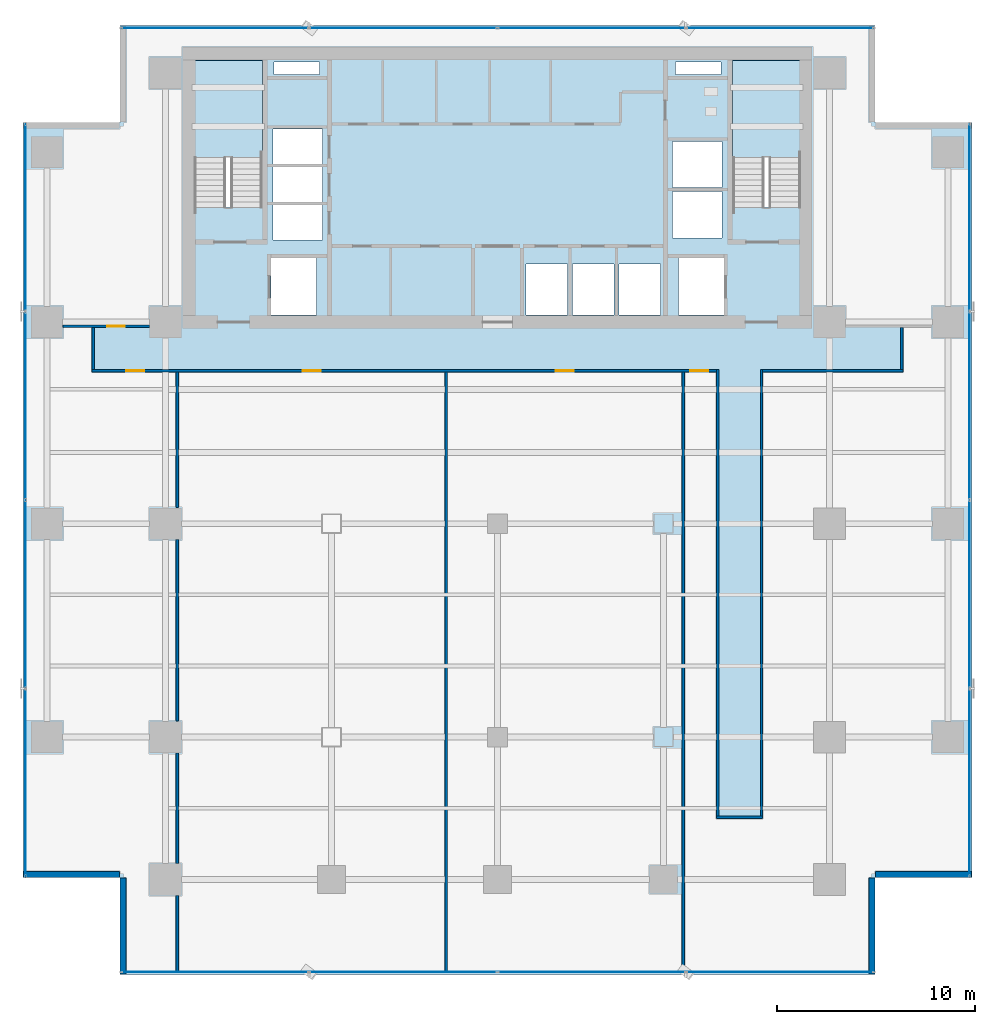
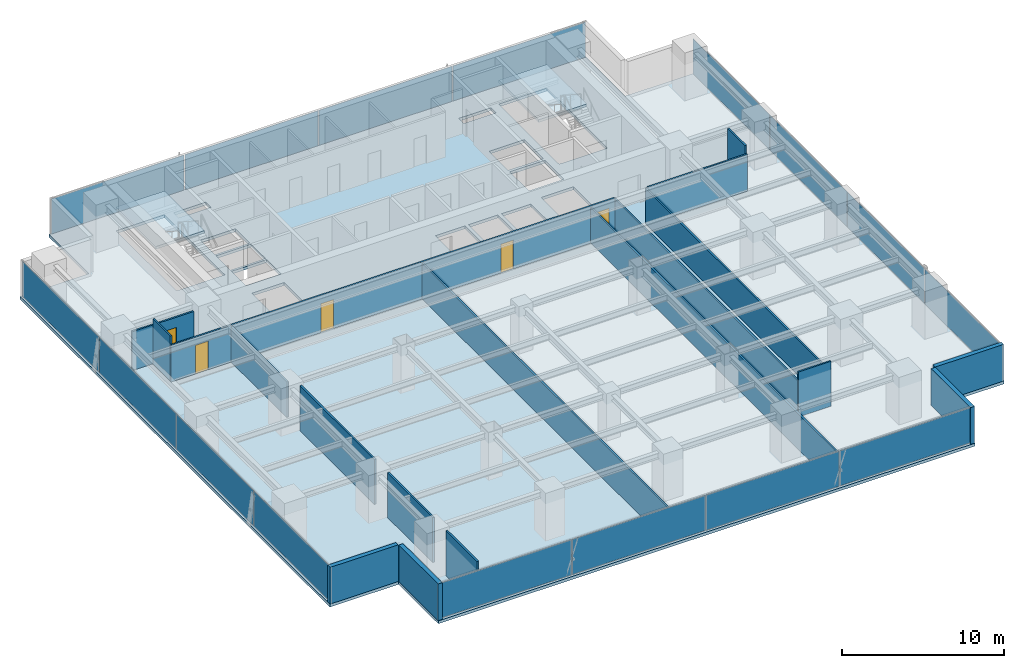
# One storey, part 20 of 27: 18 walls, 16 plates, 5 doors, 3 slabs, 5 openings, 6 elements without a shape of their own.
"""IFC4 building model written with IfcOpenShell, lengths in metres."""

from ifc_helpers import new_model, si_unit, direction, frame, frame_2d, origin, origin_2d, place, context, subcontext, project, spatial, polyline, rectangle, outline, extrude, source, transform, mapped, material, layer, layer_set, type_object, element, fill, aggregate, save


model = new_model("IFC4")

# Units and contexts
model_context = context("Model", 3, precision=1e-05, world=origin(), true_north=direction((0.0, 1.0)))
body_context = subcontext(model_context, "Body", "Model", "MODEL_VIEW")
ifc_project = project(units=[si_unit("LENGTHUNIT", "METRE"), si_unit("AREAUNIT", "SQUARE_METRE"), si_unit("VOLUMEUNIT", "CUBIC_METRE"), si_unit("PLANEANGLEUNIT", "RADIAN"), si_unit("MASSUNIT", "GRAM", prefix="KILO")], contexts=[model_context])

# Site, building, storey
site_placement = place(None, origin())
site = spatial("IfcSite", under=ifc_project, at=site_placement, CompositionType="ELEMENT")
building_placement = place(site_placement, origin())
building = spatial("IfcBuilding", under=site, at=building_placement, Name="Sumidabori Civic Tower", CompositionType="ELEMENT")
storey_placement = place(building_placement, frame((0.0, 0.0, 138.800048828125)))
storey = spatial("IfcBuildingStorey", under=building, at=storey_placement, Name="L35", CompositionType="ELEMENT", Elevation=138.800048828125)

# Stair, slab
ifc_material_1 = material(Name="Concrete C40/50", Category="concrete")
stair_type = type_object("IfcStairType", Name="ST-CORE-1600", PredefinedType="HALF_TURN_STAIR", material=ifc_material_1)
stair_1_placement = place(storey_placement, origin())
stair_1 = element("IfcStair", 1, at=stair_1_placement, inside=storey, type_object=stair_type, Name="L35 ST-1", PredefinedType="HALF_TURN_STAIR")
ifc_layer_1 = layer(ifc_material_1, 0.199951171875, Name="Concrete C40/50")
ifc_layer_set_1 = layer_set([ifc_layer_1], Name="Concrete C40/50")
slab_type_1 = type_object("IfcSlabType", Name="SL-LAND-200", PredefinedType="LANDING", material=ifc_layer_set_1)
slab_1_placement = place(storey_placement, frame((0.0, 0.0, 1.599853515625)))
slab_1 = element("IfcSlab", 2, at=slab_1_placement, type_object=slab_type_1, Name="ST-1 landing 1", PredefinedType="LANDING", context=body_context, shape_type="SweptSolid", body=[
    extrude(outline(polyline([(-11.89990234375, 18.52001953125), (-11.89990234375, 23.449951171875), (-15.340087890625, 23.449951171875), (-15.340087890625, 18.52001953125), (-11.89990234375, 18.52001953125)])), origin(), (0.0, 0.0, 1.0), 0.2001953125),
])
aggregate(stair_1, [slab_1])

stair_2_placement = place(storey_placement, origin())
stair_2 = element("IfcStair", 3, at=stair_2_placement, inside=storey, type_object=stair_type, Name="L35 ST-2", PredefinedType="HALF_TURN_STAIR")
slab_2_placement = place(storey_placement, frame((0.0, 0.0, 1.599853515625)))
slab_2 = element("IfcSlab", 4, at=slab_2_placement, type_object=slab_type_1, Name="ST-2 landing 1", PredefinedType="LANDING", context=body_context, shape_type="SweptSolid", body=[
    extrude(outline(polyline([(15.340087890625, 18.52001953125), (15.340087890625, 23.449951171875), (11.89990234375, 23.449951171875), (11.89990234375, 18.52001953125), (15.340087890625, 18.52001953125)])), origin(), (0.0, 0.0, 1.0), 0.2001953125),
])
aggregate(stair_2, [slab_2])

# Slab
ifc_layer_2 = layer(ifc_material_1, 0.219970703125, Name="Concrete C40/50")
ifc_layer_set_2 = layer_set([ifc_layer_2], Name="Concrete C40/50")
slab_type_2 = type_object("IfcSlabType", Name="SL-Z3-220", PredefinedType="FLOOR", material=ifc_layer_set_2)
slab_3_placement = place(storey_placement, frame((0.0, 0.0, -0.219970703125)))
element("IfcSlab", 5, at=slab_3_placement, inside=storey, type_object=slab_type_2, Name="Structural Slab L35", PredefinedType="FLOOR", context=body_context, shape_type="SweptSolid", body=[
    extrude(outline(polyline([(-19.10009765625, -22.800048828125), (19.10009765625, -22.800048828125), (19.10009765625, -17.89990234375), (24.0, -17.89990234375), (24.0, 20.300048828125), (19.10009765625, 20.300048828125), (19.10009765625, 25.199951171875), (-19.10009765625, 25.199951171875), (-19.10009765625, 20.300048828125), (-24.0, 20.300048828125), (-24.0, -17.89990234375), (-19.10009765625, -17.89990234375), (-19.10009765625, -22.800048828125)]), holes=[polyline([(-11.89990234375, 16.0), (-11.89990234375, 23.449951171875), (-15.340087890625, 23.449951171875), (-15.340087890625, 16.0), (-11.89990234375, 16.0)]), polyline([(15.340087890625, 16.0), (15.340087890625, 23.449951171875), (11.89990234375, 23.449951171875), (11.89990234375, 16.0), (15.340087890625, 16.0)]), polyline([(-11.449951171875, 10.550048828125), (-9.14990234375, 10.550048828125), (-9.14990234375, 13.449951171875), (-11.449951171875, 13.449951171875), (-11.449951171875, 10.550048828125)]), polyline([(9.14990234375, 10.550048828125), (11.449951171875, 10.550048828125), (11.449951171875, 13.449951171875), (9.14990234375, 13.449951171875), (9.14990234375, 10.550048828125)]), polyline([(1.449951171875, 10.550048828125), (3.550048828125, 10.550048828125), (3.550048828125, 13.14990234375), (1.449951171875, 13.14990234375), (1.449951171875, 10.550048828125)]), polyline([(3.800048828125, 10.550048828125), (5.89990234375, 10.550048828125), (5.89990234375, 13.14990234375), (3.800048828125, 13.14990234375), (3.800048828125, 10.550048828125)]), polyline([(6.14990234375, 10.550048828125), (8.25, 10.550048828125), (8.25, 13.14990234375), (6.14990234375, 13.14990234375), (6.14990234375, 10.550048828125)]), polyline([(-11.35009765625, 14.35009765625), (-8.85009765625, 14.35009765625), (-8.85009765625, 16.1201171875), (-11.35009765625, 16.1201171875), (-11.35009765625, 14.35009765625)]), polyline([(-11.35009765625, 16.27001953125), (-8.85009765625, 16.27001953125), (-8.85009765625, 18.0400390625), (-11.35009765625, 18.0400390625), (-11.35009765625, 16.27001953125)]), polyline([(-11.35009765625, 18.18994140625), (-8.85009765625, 18.18994140625), (-8.85009765625, 19.9599609375), (-11.35009765625, 19.9599609375), (-11.35009765625, 18.18994140625)]), polyline([(8.85009765625, 14.449951171875), (11.35009765625, 14.449951171875), (11.35009765625, 16.800048828125), (8.85009765625, 16.800048828125), (8.85009765625, 14.449951171875)]), polyline([(8.85009765625, 17.0), (11.35009765625, 17.0), (11.35009765625, 19.35009765625), (8.85009765625, 19.35009765625), (8.85009765625, 17.0)]), polyline([(-11.300048828125, 22.719970703125), (-9.0, 22.719970703125), (-9.0, 23.35009765625), (-11.300048828125, 23.35009765625), (-11.300048828125, 22.719970703125)]), polyline([(9.0, 22.719970703125), (11.300048828125, 22.719970703125), (11.300048828125, 23.35009765625), (9.0, 23.35009765625), (9.0, 22.719970703125)])]), origin(), (0.0, 0.0, 1.0), 0.219970703125),
])

# Curtain wall, plates
ifc_material_2 = material(Name="Anodised Bronze Aluminium AW-6063-T6", Category="aluminium")
ifc_layer_3 = layer(ifc_material_2, 0.179931640625, Name="Anodised Bronze Aluminium AW-6063-T6")
ifc_layer_set_3 = layer_set([ifc_layer_3], Name="Anodised Bronze Aluminium AW-6063-T6")
curtain_wall_type = type_object("IfcCurtainWallType", Name="CW-SYS-3", PredefinedType="NOTDEFINED", material=ifc_layer_set_3)
curtain_wall_1_placement = place(storey_placement, origin())
curtain_wall_1 = element("IfcCurtainWall", 6, at=curtain_wall_1_placement, inside=storey, type_object=curtain_wall_type, Name="Curtain Wall CW:L35:R01", PredefinedType="NOTDEFINED")
ifc_material_3 = material(Name="Low-E Solar-Control Vision Glazing", Category="glass")
ifc_layer_4 = layer(ifc_material_3, 0.028076171875, Name="Low-E Solar-Control Vision Glazing")
ifc_layer_set_4 = layer_set([ifc_layer_4], Name="Low-E Solar-Control Vision Glazing")
plate_type = type_object("IfcPlateType", Name="CW-PNL-28", PredefinedType="CURTAIN_PANEL", material=ifc_layer_set_4)
shared_shape_1 = source(origin(), body_context, "Body", "SweptSolid", [
    extrude(rectangle(XDim=9.4375, YDim=0.028076171875, at=origin_2d()), origin(), (0.0, 0.0, 1.0), 2.639892578125),
])
plate_1_placement = place(storey_placement, frame((-14.2861328125, -22.679931640625, 0.06005859375), z_axis=(0.0, 0.0, 1.0), x_axis=(1.0, 0.0, 0.0)))
plate_1 = element("IfcPlate", 7, at=plate_1_placement, type_object=plate_type, Name="CW-3 panel 1.1", PredefinedType="CURTAIN_PANEL", context=body_context, shape_type="MappedRepresentation", body=[
    mapped(shared_shape_1, transform((0.0, 0.0, 0.0), x_axis=(1.0, 0.0, 0.0), y_axis=(0.0, 1.0, 0.0), z_axis=(0.0, 0.0, 1.0), scale=1.0)),
])
plate_2_placement = place(storey_placement, frame((14.2861328125, -22.679931640625, 0.06005859375), z_axis=(0.0, 0.0, 1.0), x_axis=(1.0, 0.0, 0.0)))
plate_2 = element("IfcPlate", 8, at=plate_2_placement, type_object=plate_type, Name="CW-3 panel 4.1", PredefinedType="CURTAIN_PANEL", context=body_context, shape_type="MappedRepresentation", body=[
    mapped(shared_shape_1, transform((0.0, 0.0, 0.0), x_axis=(1.0, 0.0, 0.0), y_axis=(0.0, 1.0, 0.0), z_axis=(0.0, 0.0, 1.0), scale=1.0)),
])

curtain_wall_2_placement = place(storey_placement, origin())
curtain_wall_2 = element("IfcCurtainWall", 9, at=curtain_wall_2_placement, inside=storey, type_object=curtain_wall_type, Name="Curtain Wall CW:L35:R04", PredefinedType="NOTDEFINED")
plate_3_placement = place(storey_placement, frame((23.8798828125, -13.086181640625, 0.06005859375), z_axis=(0.0, 0.0, 1.0), x_axis=(0.0, 1.0, 0.0)))
plate_3 = element("IfcPlate", 10, at=plate_3_placement, type_object=plate_type, Name="CW-3 panel 1.1", PredefinedType="CURTAIN_PANEL", context=body_context, shape_type="MappedRepresentation", body=[
    mapped(shared_shape_1, transform((0.0, 0.0, 0.0), x_axis=(1.0, 0.0, 0.0), y_axis=(0.0, 1.0, 0.0), z_axis=(0.0, 0.0, 1.0), scale=1.0)),
])
plate_4_placement = place(storey_placement, frame((23.8798828125, 15.486328125, 0.06005859375), z_axis=(0.0, 0.0, 1.0), x_axis=(0.0, 1.0, 0.0)))
plate_4 = element("IfcPlate", 11, at=plate_4_placement, type_object=plate_type, Name="CW-3 panel 4.1", PredefinedType="CURTAIN_PANEL", context=body_context, shape_type="MappedRepresentation", body=[
    mapped(shared_shape_1, transform((0.0, 0.0, 0.0), x_axis=(1.0, 0.0, 0.0), y_axis=(0.0, 1.0, 0.0), z_axis=(0.0, 0.0, 1.0), scale=1.0)),
])

curtain_wall_3_placement = place(storey_placement, origin())
curtain_wall_3 = element("IfcCurtainWall", 12, at=curtain_wall_3_placement, inside=storey, type_object=curtain_wall_type, Name="Curtain Wall CW:L35:R07", PredefinedType="NOTDEFINED")
plate_5_placement = place(storey_placement, frame((14.2861328125, 25.080078125, 0.06005859375), z_axis=(0.0, 0.0, 1.0), x_axis=(-1.0, 0.0, 0.0)))
plate_5 = element("IfcPlate", 13, at=plate_5_placement, type_object=plate_type, Name="CW-3 panel 1.1", PredefinedType="CURTAIN_PANEL", context=body_context, shape_type="MappedRepresentation", body=[
    mapped(shared_shape_1, transform((0.0, 0.0, 0.0), x_axis=(1.0, 0.0, 0.0), y_axis=(0.0, 1.0, 0.0), z_axis=(0.0, 0.0, 1.0), scale=1.0)),
])
plate_6_placement = place(storey_placement, frame((-14.2861328125, 25.080078125, 0.06005859375), z_axis=(0.0, 0.0, 1.0), x_axis=(-1.0, 0.0, 0.0)))
plate_6 = element("IfcPlate", 14, at=plate_6_placement, type_object=plate_type, Name="CW-3 panel 4.1", PredefinedType="CURTAIN_PANEL", context=body_context, shape_type="MappedRepresentation", body=[
    mapped(shared_shape_1, transform((0.0, 0.0, 0.0), x_axis=(1.0, 0.0, 0.0), y_axis=(0.0, 1.0, 0.0), z_axis=(0.0, 0.0, 1.0), scale=1.0)),
])

curtain_wall_4_placement = place(storey_placement, origin())
curtain_wall_4 = element("IfcCurtainWall", 15, at=curtain_wall_4_placement, inside=storey, type_object=curtain_wall_type, Name="Curtain Wall CW:L35:R10", PredefinedType="NOTDEFINED")
plate_7_placement = place(storey_placement, frame((-23.8798828125, 15.486328125, 0.06005859375), z_axis=(0.0, 0.0, 1.0), x_axis=(0.0, -1.0, 0.0)))
plate_7 = element("IfcPlate", 16, at=plate_7_placement, type_object=plate_type, Name="CW-3 panel 1.1", PredefinedType="CURTAIN_PANEL", context=body_context, shape_type="MappedRepresentation", body=[
    mapped(shared_shape_1, transform((0.0, 0.0, 0.0), x_axis=(1.0, 0.0, 0.0), y_axis=(0.0, 1.0, 0.0), z_axis=(0.0, 0.0, 1.0), scale=1.0)),
])
plate_8_placement = place(storey_placement, frame((-23.8798828125, -13.086181640625, 0.06005859375), z_axis=(0.0, 0.0, 1.0), x_axis=(0.0, -1.0, 0.0)))
plate_8 = element("IfcPlate", 17, at=plate_8_placement, type_object=plate_type, Name="CW-3 panel 4.1", PredefinedType="CURTAIN_PANEL", context=body_context, shape_type="MappedRepresentation", body=[
    mapped(shared_shape_1, transform((0.0, 0.0, 0.0), x_axis=(1.0, 0.0, 0.0), y_axis=(0.0, 1.0, 0.0), z_axis=(0.0, 0.0, 1.0), scale=1.0)),
])

# Plate
shared_shape_2 = source(origin(), body_context, "Body", "SweptSolid", [
    extrude(rectangle(XDim=9.469970703125, YDim=0.028076171875, at=origin_2d()), origin(), (0.0, 0.0, 1.0), 2.639892578125),
])
plate_9_placement = place(storey_placement, frame((-4.767578125, -22.679931640625, 0.06005859375), z_axis=(0.0, 0.0, 1.0), x_axis=(1.0, 0.0, 0.0)))
plate_9 = element("IfcPlate", 18, at=plate_9_placement, type_object=plate_type, Name="CW-3 panel 2.1", PredefinedType="CURTAIN_PANEL", context=body_context, shape_type="MappedRepresentation", body=[
    mapped(shared_shape_2, transform((0.0, 0.0, 0.0), x_axis=(1.0, 0.0, 0.0), y_axis=(0.0, 1.0, 0.0), z_axis=(0.0, 0.0, 1.0), scale=1.0)),
])

plate_10_placement = place(storey_placement, frame((4.767578125, -22.679931640625, 0.06005859375), z_axis=(0.0, 0.0, 1.0), x_axis=(1.0, 0.0, 0.0)))
plate_10 = element("IfcPlate", 19, at=plate_10_placement, type_object=plate_type, Name="CW-3 panel 3.1", PredefinedType="CURTAIN_PANEL", context=body_context, shape_type="MappedRepresentation", body=[
    mapped(shared_shape_2, transform((0.0, 0.0, 0.0), x_axis=(1.0, 0.0, 0.0), y_axis=(0.0, 1.0, 0.0), z_axis=(0.0, 0.0, 1.0), scale=1.0)),
])

aggregate(curtain_wall_1, [plate_1, plate_9, plate_10, plate_2])

plate_11_placement = place(storey_placement, frame((23.8798828125, -3.5673828125, 0.06005859375), z_axis=(0.0, 0.0, 1.0), x_axis=(0.0, 1.0, 0.0)))
plate_11 = element("IfcPlate", 20, at=plate_11_placement, type_object=plate_type, Name="CW-3 panel 2.1", PredefinedType="CURTAIN_PANEL", context=body_context, shape_type="MappedRepresentation", body=[
    mapped(shared_shape_2, transform((0.0, 0.0, 0.0), x_axis=(1.0, 0.0, 0.0), y_axis=(0.0, 1.0, 0.0), z_axis=(0.0, 0.0, 1.0), scale=1.0)),
])

plate_12_placement = place(storey_placement, frame((23.8798828125, 5.967529296875, 0.06005859375), z_axis=(0.0, 0.0, 1.0), x_axis=(0.0, 1.0, 0.0)))
plate_12 = element("IfcPlate", 21, at=plate_12_placement, type_object=plate_type, Name="CW-3 panel 3.1", PredefinedType="CURTAIN_PANEL", context=body_context, shape_type="MappedRepresentation", body=[
    mapped(shared_shape_2, transform((0.0, 0.0, 0.0), x_axis=(1.0, 0.0, 0.0), y_axis=(0.0, 1.0, 0.0), z_axis=(0.0, 0.0, 1.0), scale=1.0)),
])

aggregate(curtain_wall_2, [plate_3, plate_11, plate_12, plate_4])

plate_13_placement = place(storey_placement, frame((4.767578125, 25.080078125, 0.06005859375), z_axis=(0.0, 0.0, 1.0), x_axis=(-1.0, 0.0, 0.0)))
plate_13 = element("IfcPlate", 22, at=plate_13_placement, type_object=plate_type, Name="CW-3 panel 2.1", PredefinedType="CURTAIN_PANEL", context=body_context, shape_type="MappedRepresentation", body=[
    mapped(shared_shape_2, transform((0.0, 0.0, 0.0), x_axis=(1.0, 0.0, 0.0), y_axis=(0.0, 1.0, 0.0), z_axis=(0.0, 0.0, 1.0), scale=1.0)),
])

plate_14_placement = place(storey_placement, frame((-4.767578125, 25.080078125, 0.06005859375), z_axis=(0.0, 0.0, 1.0), x_axis=(-1.0, 0.0, 0.0)))
plate_14 = element("IfcPlate", 23, at=plate_14_placement, type_object=plate_type, Name="CW-3 panel 3.1", PredefinedType="CURTAIN_PANEL", context=body_context, shape_type="MappedRepresentation", body=[
    mapped(shared_shape_2, transform((0.0, 0.0, 0.0), x_axis=(1.0, 0.0, 0.0), y_axis=(0.0, 1.0, 0.0), z_axis=(0.0, 0.0, 1.0), scale=1.0)),
])

aggregate(curtain_wall_3, [plate_5, plate_13, plate_14, plate_6])

plate_15_placement = place(storey_placement, frame((-23.8798828125, 5.967529296875, 0.06005859375), z_axis=(0.0, 0.0, 1.0), x_axis=(0.0, -1.0, 0.0)))
plate_15 = element("IfcPlate", 24, at=plate_15_placement, type_object=plate_type, Name="CW-3 panel 2.1", PredefinedType="CURTAIN_PANEL", context=body_context, shape_type="MappedRepresentation", body=[
    mapped(shared_shape_2, transform((0.0, 0.0, 0.0), x_axis=(1.0, 0.0, 0.0), y_axis=(0.0, 1.0, 0.0), z_axis=(0.0, 0.0, 1.0), scale=1.0)),
])

plate_16_placement = place(storey_placement, frame((-23.8798828125, -3.5673828125, 0.06005859375), z_axis=(0.0, 0.0, 1.0), x_axis=(0.0, -1.0, 0.0)))
plate_16 = element("IfcPlate", 25, at=plate_16_placement, type_object=plate_type, Name="CW-3 panel 3.1", PredefinedType="CURTAIN_PANEL", context=body_context, shape_type="MappedRepresentation", body=[
    mapped(shared_shape_2, transform((0.0, 0.0, 0.0), x_axis=(1.0, 0.0, 0.0), y_axis=(0.0, 1.0, 0.0), z_axis=(0.0, 0.0, 1.0), scale=1.0)),
])

aggregate(curtain_wall_4, [plate_7, plate_15, plate_16, plate_8])

# Walls
ifc_material_4 = material(Name="Precast concrete C40/50", Category="concrete")
ifc_layer_5 = layer(ifc_material_4, 0.300048828125, Name="Precast concrete C40/50")
ifc_layer_set_5 = layer_set([ifc_layer_5], Name="Precast concrete C40/50")
wall_type_1 = type_object("IfcWallType", Name="WL-EXT-POD300", PredefinedType="STANDARD", material=ifc_layer_set_5)
shared_shape_3 = source(origin(), body_context, "Body", "SweptSolid", [
    extrude(rectangle(XDim=4.860107421875, YDim=0.300048828125, at=frame_2d((2.43017578125, 0.0))), origin(), (0.0, 0.0, 1.0), 2.760009765625),
])
for number, where, z_axis, x_axis, name in (
    (26, (18.949951171875, -22.780029296875, 0.0), (0.0, 0.0, 1.0), (0.0, 1.0, 0.0), "Notched Corner Spandrel Band L35-02"),
    (27, (-18.949951171875, -17.919921875, 0.0), (0.0, 0.0, 1.0), (0.0, -1.0, 0.0), "Notched Corner Spandrel Band L35-12"),
):
    element("IfcWall", number, at=place(storey_placement, frame(where, z_axis=z_axis, x_axis=x_axis)), inside=storey, type_object=wall_type_1, Name=name, PredefinedType="STANDARD", context=body_context, shape_type="MappedRepresentation", body=[
        mapped(shared_shape_3, transform((0.0, 0.0, 0.0), x_axis=(1.0, 0.0, 0.0), y_axis=(0.0, 1.0, 0.0), z_axis=(0.0, 0.0, 1.0), scale=1.0)),
    ])
shared_shape_4 = source(origin(), body_context, "Body", "SweptSolid", [
    extrude(rectangle(XDim=4.85986328125, YDim=0.300048828125, at=frame_2d((2.429931640625, 0.0))), origin(), (0.0, 0.0, 1.0), 2.760009765625),
])
for number, where, z_axis, x_axis, name in (
    (28, (19.1201171875, -17.75, 0.0), (0.0, 0.0, 1.0), (1.0, 0.0, 0.0), "Notched Corner Spandrel Band L35-03"),
    (29, (-23.97998046875, -17.75, 0.0), (0.0, 0.0, 1.0), (1.0, 0.0, 0.0), "Notched Corner Spandrel Band L35-11"),
):
    element("IfcWall", number, at=place(storey_placement, frame(where, z_axis=z_axis, x_axis=x_axis)), inside=storey, type_object=wall_type_1, Name=name, PredefinedType="STANDARD", context=body_context, shape_type="MappedRepresentation", body=[
        mapped(shared_shape_4, transform((0.0, 0.0, 0.0), x_axis=(1.0, 0.0, 0.0), y_axis=(0.0, 1.0, 0.0), z_axis=(0.0, 0.0, 1.0), scale=1.0)),
    ])

# Wall, opening, door
ifc_material_5 = material(Name="Gypsum Plasterboard Acoustic Partition")
ifc_layer_6 = layer(ifc_material_5, 0.1201171875, Name="Gypsum Plasterboard Acoustic Partition")
ifc_layer_set_6 = layer_set([ifc_layer_6], Name="Gypsum Plasterboard Acoustic Partition")
wall_type_2 = type_object("IfcWallType", Name="WL-PART-120", PredefinedType="PARTITIONING", material=ifc_layer_set_6)
shared_shape_5 = source(origin(), body_context, "Body", "SweptSolid", [
    extrude(rectangle(XDim=4.3798828125, YDim=0.1201171875, at=frame_2d((2.18994140625, 0.0))), origin(), (0.0, 0.0, 1.0), 2.9150390625),
])
wall_1_placement = place(storey_placement, frame((-21.989990234375, 10.0, 0.0), z_axis=(0.0, 0.0, 1.0), x_axis=(1.0, 0.0, 0.0)))
wall_1 = element("IfcWall", 30, at=wall_1_placement, inside=storey, type_object=wall_type_2, Name="Interior Partition WL:L35:FLK-NW", PredefinedType="PARTITIONING", context=body_context, shape_type="MappedRepresentation", body=[
    mapped(shared_shape_5, transform((0.0, 0.0, 0.0), x_axis=(1.0, 0.0, 0.0), y_axis=(0.0, 1.0, 0.0), z_axis=(0.0, 0.0, 1.0), scale=1.0)),
])
opening_1_placement = place(wall_1_placement, frame((2.235107421875, 0.0, 0.0)))
opening_1 = element("IfcOpeningElement", 31, at=opening_1_placement, cuts=wall_1, Name="Opening DR-1", PredefinedType="OPENING", context=body_context, shape_type="SweptSolid", body=[
    extrude(rectangle(XDim=0.89990234375, YDim=2.14990234375, at=frame_2d((0.449951171875, 1.074951171875))), frame((0.0, 0.072021484375, 0.0), z_axis=(0.0, -1.0, 0.0), x_axis=(1.0, 0.0, 0.0)), (0.0, 0.0, 1.0), 0.14404296875),
])
ifc_material_6 = material(Name="Japanese Hinoki Timber", Category="wood")
door_type = type_object("IfcDoorType", Name="DR-INT-900", OperationType="NOTDEFINED", PredefinedType="DOOR", material=ifc_material_6)
shared_shape_6 = source(origin(), body_context, "Body", "SweptSolid", [
    extrude(rectangle(XDim=0.89990234375, YDim=2.14990234375, at=frame_2d((0.449951171875, 1.074951171875))), frame((0.0, 0.02490234375, 0.0), z_axis=(0.0, -1.0, 0.0), x_axis=(1.0, 0.0, 0.0)), (0.0, 0.0, 1.0), 0.050048828125),
])
door_1_placement = place(opening_1_placement, origin())
door_1 = element("IfcDoor", 32, at=door_1_placement, inside=storey, type_object=door_type, Name="Door DR:L35:FLK-NW", OperationType="SINGLE_SWING_LEFT", OverallHeight=2.14990234375, OverallWidth=0.89990234375, PredefinedType="DOOR", context=body_context, shape_type="MappedRepresentation", body=[
    mapped(shared_shape_6, transform((0.0, 0.0, 0.0), x_axis=(1.0, 0.0, 0.0), y_axis=(0.0, 1.0, 0.0), z_axis=(0.0, 0.0, 1.0), scale=1.0)),
])
fill(opening_1, door_1)

# Walls
shared_shape_7 = source(origin(), body_context, "Body", "SweptSolid", [
    extrude(rectangle(XDim=22.594970703125, YDim=0.1201171875, at=frame_2d((11.29736328125, 0.0))), origin(), (0.0, 0.0, 1.0), 2.6650390625),
])
for number, where, z_axis, x_axis, name in (
    (33, (11.139892578125, -14.794921875, 0.0), (0.0, 0.0, 1.0), (0.0, 1.0, 0.0), "Interior Partition WL:L35:CORR-VL-W"),
    (34, (13.360107421875, -14.794921875, 0.0), (0.0, 0.0, 1.0), (0.0, 1.0, 0.0), "Interior Partition WL:L35:CORR-VL-E"),
):
    element("IfcWall", number, at=place(storey_placement, frame(where, z_axis=z_axis, x_axis=x_axis)), inside=storey, type_object=wall_type_2, Name=name, PredefinedType="PARTITIONING", context=body_context, shape_type="MappedRepresentation", body=[
        mapped(shared_shape_7, transform((0.0, 0.0, 0.0), x_axis=(1.0, 0.0, 0.0), y_axis=(0.0, 1.0, 0.0), z_axis=(0.0, 0.0, 1.0), scale=1.0)),
    ])
shared_shape_8 = source(origin(), body_context, "Body", "SweptSolid", [
    extrude(rectangle(XDim=6.864990234375, YDim=0.1201171875, at=frame_2d((3.4326171875, 0.0))), origin(), (0.0, 0.0, 1.0), 2.6650390625),
])
wall_2_placement = place(storey_placement, frame((-16.199951171875, 0.81005859375, 0.0), z_axis=(0.0, 0.0, 1.0), x_axis=(0.0, 1.0, 0.0)))
element("IfcWall", 35, at=wall_2_placement, inside=storey, type_object=wall_type_2, Name="Interior Partition WL:L35:VX-N1-4", PredefinedType="PARTITIONING", context=body_context, shape_type="MappedRepresentation", body=[
    mapped(shared_shape_8, transform((0.0, 0.0, 0.0), x_axis=(1.0, 0.0, 0.0), y_axis=(0.0, 1.0, 0.0), z_axis=(0.0, 0.0, 1.0), scale=1.0)),
])
shared_shape_9 = source(origin(), body_context, "Body", "SweptSolid", [
    extrude(rectangle(XDim=30.324951171875, YDim=0.1201171875, at=frame_2d((15.16259765625, 0.0))), origin(), (0.0, 0.0, 1.0), 2.6650390625),
])
for number, where, z_axis, x_axis, name in (
    (36, (-2.60009765625, -22.64990234375, 0.0), (0.0, 0.0, 1.0), (0.0, 1.0, 0.0), "Interior Partition WL:L35:VX-N2"),
    (37, (9.39990234375, -22.64990234375, 0.0), (0.0, 0.0, 1.0), (0.0, 1.0, 0.0), "Interior Partition WL:L35:VX-N3"),
):
    element("IfcWall", number, at=place(storey_placement, frame(where, z_axis=z_axis, x_axis=x_axis)), inside=storey, type_object=wall_type_2, Name=name, PredefinedType="PARTITIONING", context=body_context, shape_type="MappedRepresentation", body=[
        mapped(shared_shape_9, transform((0.0, 0.0, 0.0), x_axis=(1.0, 0.0, 0.0), y_axis=(0.0, 1.0, 0.0), z_axis=(0.0, 0.0, 1.0), scale=1.0)),
    ])

# Wall, openings, doors
shared_shape_10 = source(origin(), body_context, "Body", "SweptSolid", [
    extrude(rectangle(XDim=31.60009765625, YDim=0.1201171875, at=frame_2d((15.800048828125, 0.0))), origin(), (0.0, 0.0, 1.0), 2.764892578125),
])
wall_3_placement = place(storey_placement, frame((-20.52001953125, 7.739990234375, 0.0), z_axis=(0.0, 0.0, 1.0), x_axis=(1.0, 0.0, 0.0)))
wall_3 = element("IfcWall", 38, at=wall_3_placement, inside=storey, type_object=wall_type_2, Name="Interior Partition WL:L35:CORR-SW", PredefinedType="PARTITIONING", context=body_context, shape_type="MappedRepresentation", body=[
    mapped(shared_shape_10, transform((0.0, 0.0, 0.0), x_axis=(1.0, 0.0, 0.0), y_axis=(0.0, 1.0, 0.0), z_axis=(0.0, 0.0, 1.0), scale=1.0)),
])
opening_2_placement = place(wall_3_placement, frame((1.739990234375, 0.0, 0.0)))
opening_2 = element("IfcOpeningElement", 39, at=opening_2_placement, cuts=wall_3, Name="Opening DR-1", PredefinedType="OPENING", context=body_context, shape_type="SweptSolid", body=[
    extrude(rectangle(XDim=0.89990234375, YDim=2.14990234375, at=frame_2d((0.449951171875, 1.074951171875))), frame((0.0, 0.072021484375, 0.0), z_axis=(0.0, -1.0, 0.0), x_axis=(1.0, 0.0, 0.0)), (0.0, 0.0, 1.0), 0.14404296875),
])
opening_3_placement = place(wall_3_placement, frame((30.280029296875, 0.0, 0.0)))
opening_3 = element("IfcOpeningElement", 40, at=opening_3_placement, cuts=wall_3, Name="Opening DR-1", PredefinedType="OPENING", context=body_context, shape_type="SweptSolid", body=[
    extrude(rectangle(XDim=0.89990234375, YDim=2.14990234375, at=frame_2d((0.449951171875, 1.074951171875))), frame((0.0, 0.072021484375, 0.0), z_axis=(0.0, -1.0, 0.0), x_axis=(1.0, 0.0, 0.0)), (0.0, 0.0, 1.0), 0.14404296875),
])
opening_4_placement = place(wall_3_placement, frame((10.669921875, 0.0, 0.0)))
opening_4 = element("IfcOpeningElement", 41, at=opening_4_placement, cuts=wall_3, Name="Opening DR-1", PredefinedType="OPENING", context=body_context, shape_type="SweptSolid", body=[
    extrude(rectangle(XDim=0.89990234375, YDim=2.14990234375, at=frame_2d((0.449951171875, 1.074951171875))), frame((0.0, 0.072021484375, 0.0), z_axis=(0.0, -1.0, 0.0), x_axis=(1.0, 0.0, 0.0)), (0.0, 0.0, 1.0), 0.14404296875),
])
opening_5_placement = place(wall_3_placement, frame((23.469970703125, 0.0, 0.0)))
opening_5 = element("IfcOpeningElement", 42, at=opening_5_placement, cuts=wall_3, Name="Opening DR-1", PredefinedType="OPENING", context=body_context, shape_type="SweptSolid", body=[
    extrude(rectangle(XDim=0.89990234375, YDim=2.14990234375, at=frame_2d((0.449951171875, 1.074951171875))), frame((0.0, 0.072021484375, 0.0), z_axis=(0.0, -1.0, 0.0), x_axis=(1.0, 0.0, 0.0)), (0.0, 0.0, 1.0), 0.14404296875),
])
door_2_placement = place(opening_2_placement, origin())
door_2 = element("IfcDoor", 43, at=door_2_placement, inside=storey, type_object=door_type, Name="Door DR:L35:D02", OperationType="SINGLE_SWING_RIGHT", OverallHeight=2.14990234375, OverallWidth=0.89990234375, PredefinedType="DOOR", context=body_context, shape_type="MappedRepresentation", body=[
    mapped(shared_shape_6, transform((0.0, 0.0, 0.0), x_axis=(1.0, 0.0, 0.0), y_axis=(0.0, 1.0, 0.0), z_axis=(0.0, 0.0, 1.0), scale=1.0)),
])
fill(opening_2, door_2)
door_3_placement = place(opening_3_placement, origin())
door_3 = element("IfcDoor", 44, at=door_3_placement, inside=storey, type_object=door_type, Name="Door DR:L35:D03", OperationType="SINGLE_SWING_LEFT", OverallHeight=2.14990234375, OverallWidth=0.89990234375, PredefinedType="DOOR", context=body_context, shape_type="MappedRepresentation", body=[
    mapped(shared_shape_6, transform((0.0, 0.0, 0.0), x_axis=(1.0, 0.0, 0.0), y_axis=(0.0, 1.0, 0.0), z_axis=(0.0, 0.0, 1.0), scale=1.0)),
])
fill(opening_3, door_3)
door_4_placement = place(opening_4_placement, origin())
door_4 = element("IfcDoor", 45, at=door_4_placement, inside=storey, type_object=door_type, Name="Door DR:L35:D04", OperationType="SINGLE_SWING_RIGHT", OverallHeight=2.14990234375, OverallWidth=0.89990234375, PredefinedType="DOOR", context=body_context, shape_type="MappedRepresentation", body=[
    mapped(shared_shape_6, transform((0.0, 0.0, 0.0), x_axis=(1.0, 0.0, 0.0), y_axis=(0.0, 1.0, 0.0), z_axis=(0.0, 0.0, 1.0), scale=1.0)),
])
fill(opening_4, door_4)
door_5_placement = place(opening_5_placement, origin())
door_5 = element("IfcDoor", 46, at=door_5_placement, inside=storey, type_object=door_type, Name="Door DR:L35:D05", OperationType="SINGLE_SWING_LEFT", OverallHeight=2.14990234375, OverallWidth=0.89990234375, PredefinedType="DOOR", context=body_context, shape_type="MappedRepresentation", body=[
    mapped(shared_shape_6, transform((0.0, 0.0, 0.0), x_axis=(1.0, 0.0, 0.0), y_axis=(0.0, 1.0, 0.0), z_axis=(0.0, 0.0, 1.0), scale=1.0)),
])
fill(opening_5, door_5)

# Walls
shared_shape_11 = source(origin(), body_context, "Body", "SweptSolid", [
    extrude(rectangle(XDim=7.10009765625, YDim=0.1201171875, at=frame_2d((3.550048828125, 0.0))), origin(), (0.0, 0.0, 1.0), 2.764892578125),
])
wall_4_placement = place(storey_placement, frame((13.419921875, 7.739990234375, 0.0), z_axis=(0.0, 0.0, 1.0), x_axis=(1.0, 0.0, 0.0)))
element("IfcWall", 47, at=wall_4_placement, inside=storey, type_object=wall_type_2, Name="Interior Partition WL:L35:CORR-SE", PredefinedType="PARTITIONING", context=body_context, shape_type="MappedRepresentation", body=[
    mapped(shared_shape_11, transform((0.0, 0.0, 0.0), x_axis=(1.0, 0.0, 0.0), y_axis=(0.0, 1.0, 0.0), z_axis=(0.0, 0.0, 1.0), scale=1.0)),
])
shared_shape_12 = source(origin(), body_context, "Body", "SweptSolid", [
    extrude(rectangle(XDim=2.33984375, YDim=0.1201171875, at=frame_2d((1.169921875, 0.0))), origin(), (0.0, 0.0, 1.0), 3.3798828125),
])
wall_5_placement = place(storey_placement, frame((11.080078125, -14.860107421875, 0.0), z_axis=(0.0, 0.0, 1.0), x_axis=(1.0, 0.0, 0.0)))
element("IfcWall", 48, at=wall_5_placement, inside=storey, type_object=wall_type_2, Name="Interior Partition WL:L35:CORR-CAP-E", PredefinedType="PARTITIONING", context=body_context, shape_type="MappedRepresentation", body=[
    mapped(shared_shape_12, transform((0.0, 0.0, 0.0), x_axis=(1.0, 0.0, 0.0), y_axis=(0.0, 1.0, 0.0), z_axis=(0.0, 0.0, 1.0), scale=1.0)),
])
shared_shape_13 = source(origin(), body_context, "Body", "SweptSolid", [
    extrude(rectangle(XDim=2.130126953125, YDim=0.1201171875, at=frame_2d((1.06494140625, 0.0))), origin(), (0.0, 0.0, 1.0), 3.3798828125),
])
for number, where, z_axis, x_axis, name in (
    (49, (-20.4599609375, 7.804931640625, 0.0), (0.0, 0.0, 1.0), (0.0, 1.0, 0.0), "Interior Partition WL:L35:CORR-VNW"),
    (50, (20.4599609375, 7.804931640625, 0.0), (0.0, 0.0, 1.0), (0.0, 1.0, 0.0), "Interior Partition WL:L35:CORR-VNE"),
):
    element("IfcWall", number, at=place(storey_placement, frame(where, z_axis=z_axis, x_axis=x_axis)), inside=storey, type_object=wall_type_2, Name=name, PredefinedType="PARTITIONING", context=body_context, shape_type="MappedRepresentation", body=[
        mapped(shared_shape_13, transform((0.0, 0.0, 0.0), x_axis=(1.0, 0.0, 0.0), y_axis=(0.0, 1.0, 0.0), z_axis=(0.0, 0.0, 1.0), scale=1.0)),
    ])
shared_shape_14 = source(origin(), body_context, "Body", "SweptSolid", [
    extrude(rectangle(XDim=3.83984375, YDim=0.1201171875, at=frame_2d((1.919921875, 0.0))), origin(), (0.0, 0.0, 1.0), 3.3798828125),
])
wall_6_placement = place(storey_placement, frame((-16.199951171875, -22.64990234375, 0.0), z_axis=(0.0, 0.0, 1.0), x_axis=(0.0, 1.0, 0.0)))
element("IfcWall", 51, at=wall_6_placement, inside=storey, type_object=wall_type_2, Name="Interior Partition WL:L35:VX-N1-1", PredefinedType="PARTITIONING", context=body_context, shape_type="MappedRepresentation", body=[
    mapped(shared_shape_14, transform((0.0, 0.0, 0.0), x_axis=(1.0, 0.0, 0.0), y_axis=(0.0, 1.0, 0.0), z_axis=(0.0, 0.0, 1.0), scale=1.0)),
])
shared_shape_15 = source(origin(), body_context, "Body", "SweptSolid", [
    extrude(rectangle(XDim=5.579833984375, YDim=0.1201171875, at=frame_2d((2.7900390625, 0.0))), origin(), (0.0, 0.0, 1.0), 3.3798828125),
])
wall_7_placement = place(storey_placement, frame((-16.199951171875, -17.18994140625, 0.0), z_axis=(0.0, 0.0, 1.0), x_axis=(0.0, 1.0, 0.0)))
element("IfcWall", 52, at=wall_7_placement, inside=storey, type_object=wall_type_2, Name="Interior Partition WL:L35:VX-N1-2", PredefinedType="PARTITIONING", context=body_context, shape_type="MappedRepresentation", body=[
    mapped(shared_shape_15, transform((0.0, 0.0, 0.0), x_axis=(1.0, 0.0, 0.0), y_axis=(0.0, 1.0, 0.0), z_axis=(0.0, 0.0, 1.0), scale=1.0)),
])
shared_shape_16 = source(origin(), body_context, "Body", "SweptSolid", [
    extrude(rectangle(XDim=9.179931640625, YDim=0.1201171875, at=frame_2d((4.58984375, 0.0))), origin(), (0.0, 0.0, 1.0), 3.3798828125),
])
wall_8_placement = place(storey_placement, frame((-16.199951171875, -9.989990234375, 0.0), z_axis=(0.0, 0.0, 1.0), x_axis=(0.0, 1.0, 0.0)))
element("IfcWall", 53, at=wall_8_placement, inside=storey, type_object=wall_type_2, Name="Interior Partition WL:L35:VX-N1-3", PredefinedType="PARTITIONING", context=body_context, shape_type="MappedRepresentation", body=[
    mapped(shared_shape_16, transform((0.0, 0.0, 0.0), x_axis=(1.0, 0.0, 0.0), y_axis=(0.0, 1.0, 0.0), z_axis=(0.0, 0.0, 1.0), scale=1.0)),
])

save(model, "model.ifc")
